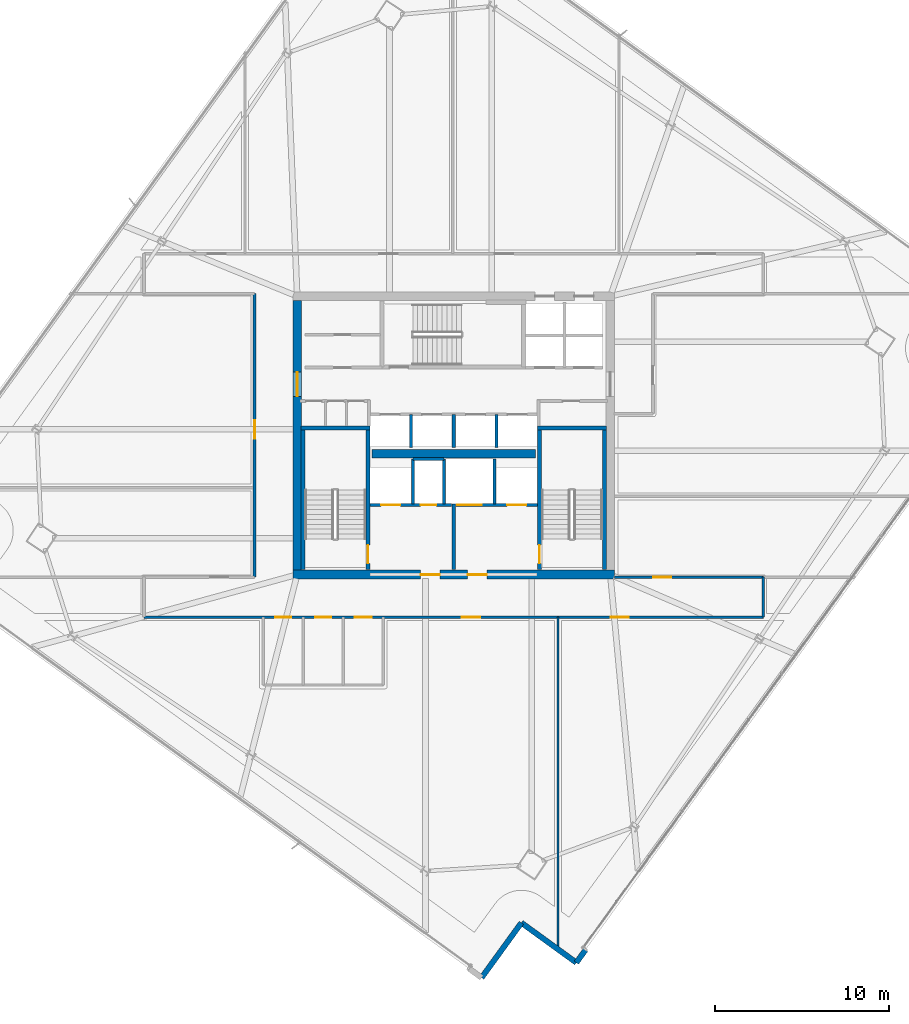
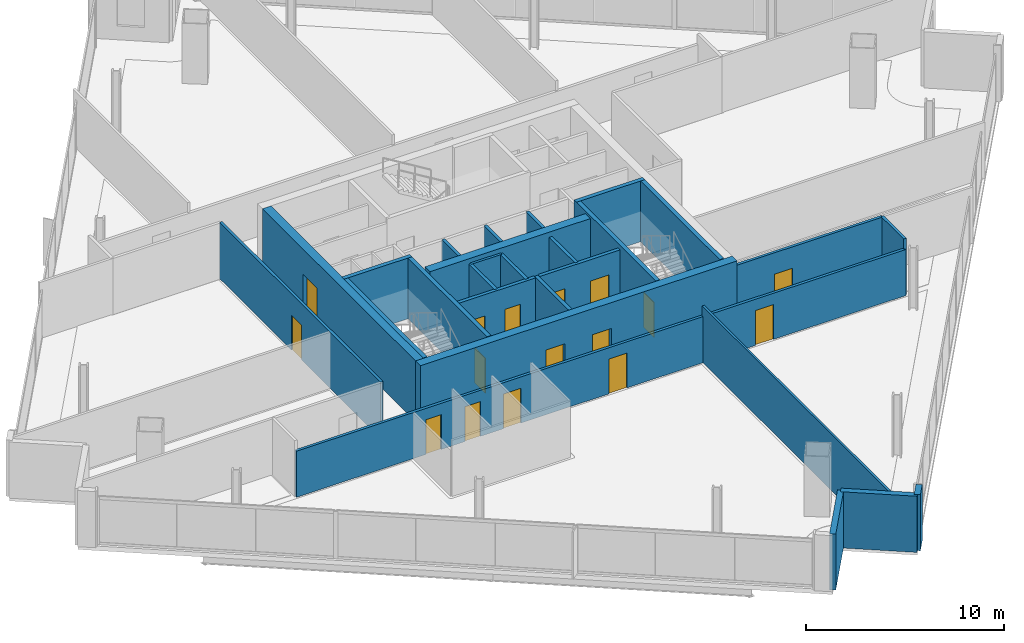
# One storey, part 22 of 29: 27 walls, 16 doors, 16 openings.
"""IFC4 building model written with IfcOpenShell, lengths in metres."""

from ifc_helpers import new_model, si_unit, direction, frame, frame_2d, origin, place, context, subcontext, project, spatial, rectangle, extrude, material, layer, layer_set, type_object, element, fill, save


model = new_model("IFC4")

# Units and contexts
model_context = context("Model", 3, precision=1e-05, world=origin(), true_north=direction((0.0, 1.0)))
body_context = subcontext(model_context, "Body", "Model", "MODEL_VIEW")
ifc_project = project(units=[si_unit("LENGTHUNIT", "METRE"), si_unit("AREAUNIT", "SQUARE_METRE"), si_unit("VOLUMEUNIT", "CUBIC_METRE"), si_unit("PLANEANGLEUNIT", "RADIAN"), si_unit("MASSUNIT", "GRAM", prefix="KILO")], contexts=[model_context])

# Site, building, storey
site_placement = place(None, origin())
site = spatial("IfcSite", under=ifc_project, at=site_placement, CompositionType="ELEMENT")
building_placement = place(site_placement, origin())
building = spatial("IfcBuilding", under=site, at=building_placement, Name="Haldenkirk Collegiate Tower", CompositionType="ELEMENT")
storey_placement = place(building_placement, frame((0.0, 0.0, 209.699951171875)))
storey = spatial("IfcBuildingStorey", under=building, at=storey_placement, Name="L52", CompositionType="ELEMENT", Elevation=209.699951171875)

# Wall, openings, doors
ifc_material_1 = material(Name="Concrete f'c 55 MPa", Category="concrete")
ifc_layer_1 = layer(ifc_material_1, 0.5)
ifc_layer_set_1 = layer_set([ifc_layer_1], Name="Concrete f'c 55 MPa")
wall_type_1 = type_object("IfcWallType", Name="WL-CORE-500", PredefinedType="SHEAR", material=ifc_layer_set_1)
wall_1_placement = place(storey_placement, frame((26.75, 18.0, 0.0), z_axis=(0.0, 0.0, 1.0), x_axis=(1.0, 0.0, 0.0)))
wall_1 = element("IfcWall", 1, at=wall_1_placement, inside=storey, type_object=wall_type_1, Name="L52 central core shear wall S", PredefinedType="SHEAR", context=body_context, shape_type="SweptSolid", body=[
    extrude(rectangle(XDim=18.5, YDim=0.5, at=frame_2d((9.25, 0.0))), origin(), (0.0, 0.0, 1.0), 3.75),
])
opening_1_placement = place(wall_1_placement, frame((7.35009765625, 0.0, 0.0)))
opening_1 = element("IfcOpeningElement", 2, at=opening_1_placement, cuts=wall_1, Name="Opening D-02", PredefinedType="OPENING", context=body_context, shape_type="SweptSolid", body=[
    extrude(rectangle(XDim=1.10009765625, YDim=2.14990234375, at=frame_2d((0.550048828125, 1.074951171875))), frame((0.0, 0.260009765625, 0.0), z_axis=(0.0, -1.0, 0.0), x_axis=(1.0, 0.0, 0.0)), (0.0, 0.0, 1.0), 0.52001953125),
])
opening_2_placement = place(wall_1_placement, frame((10.050048828125, 0.0, 0.0)))
opening_2 = element("IfcOpeningElement", 3, at=opening_2_placement, cuts=wall_1, Name="Opening D-02", PredefinedType="OPENING", context=body_context, shape_type="SweptSolid", body=[
    extrude(rectangle(XDim=1.10009765625, YDim=2.14990234375, at=frame_2d((0.550048828125, 1.074951171875))), frame((0.0, 0.260009765625, 0.0), z_axis=(0.0, -1.0, 0.0), x_axis=(1.0, 0.0, 0.0)), (0.0, 0.0, 1.0), 0.52001953125),
])
ifc_material_2 = material(Name="Galvanized fire-rated hollow steel door", Category="steel")
ifc_layer_2 = layer(ifc_material_2, 0.06005859375)
ifc_layer_set_2 = layer_set([ifc_layer_2], Name="Galvanized fire-rated hollow steel door")
door_type_1 = type_object("IfcDoorType", Name="DR-STAIR-FD90-1100", OperationType="NOTDEFINED", PredefinedType="DOOR", material=ifc_layer_set_2)
door_1_placement = place(opening_1_placement, origin())
door_1 = element("IfcDoor", 4, at=door_1_placement, inside=storey, type_object=door_type_1, Name="L52 Firefighting Lobby 1 door", OperationType="SINGLE_SWING_RIGHT", OverallHeight=2.14990234375, OverallWidth=1.10009765625, PredefinedType="DOOR", context=body_context, shape_type="SweptSolid", body=[
    extrude(rectangle(XDim=1.10009765625, YDim=2.14990234375, at=frame_2d((0.550048828125, 1.074951171875))), frame((0.0, 0.02490234375, 0.0), z_axis=(0.0, -1.0, 0.0), x_axis=(1.0, 0.0, 0.0)), (0.0, 0.0, 1.0), 0.050048828125),
])
fill(opening_1, door_1)
door_2_placement = place(opening_2_placement, origin())
door_2 = element("IfcDoor", 5, at=door_2_placement, inside=storey, type_object=door_type_1, Name="L52 Firefighting Lobby 2 door", OperationType="SINGLE_SWING_LEFT", OverallHeight=2.14990234375, OverallWidth=1.10009765625, PredefinedType="DOOR", context=body_context, shape_type="SweptSolid", body=[
    extrude(rectangle(XDim=1.10009765625, YDim=2.14990234375, at=frame_2d((0.550048828125, 1.074951171875))), frame((0.0, 0.02490234375, 0.0), z_axis=(0.0, -1.0, 0.0), x_axis=(1.0, 0.0, 0.0)), (0.0, 0.0, 1.0), 0.050048828125),
])
fill(opening_2, door_2)

# Wall, opening, door
wall_2_placement = place(storey_placement, frame((27.0, 18.25, 0.0), z_axis=(0.0, 0.0, 1.0), x_axis=(0.0, 1.0, 0.0)))
wall_2 = element("IfcWall", 6, at=wall_2_placement, inside=storey, type_object=wall_type_1, Name="L52 central core shear wall W", PredefinedType="SHEAR", context=body_context, shape_type="SweptSolid", body=[
    extrude(rectangle(XDim=15.5, YDim=0.5, at=frame_2d((7.75, 0.0))), origin(), (0.0, 0.0, 1.0), 3.75),
])
opening_3_placement = place(wall_2_placement, frame((9.989990234375, 0.0, 0.0)))
opening_3 = element("IfcOpeningElement", 7, at=opening_3_placement, cuts=wall_2, Name="Opening D-03", PredefinedType="OPENING", context=body_context, shape_type="SweptSolid", body=[
    extrude(rectangle(XDim=1.39990234375, YDim=2.199951171875, at=frame_2d((0.699951171875, 1.10009765625))), frame((0.0, 0.260009765625, 0.0), z_axis=(0.0, -1.0, 0.0), x_axis=(1.0, 0.0, 0.0)), (0.0, 0.0, 1.0), 0.52001953125),
])
ifc_layer_3 = layer(ifc_material_2, 0.06005859375)
ifc_layer_set_3 = layer_set([ifc_layer_3], Name="Galvanized fire-rated hollow steel door")
door_type_2 = type_object("IfcDoorType", Name="DR-LOBBY-FD90-1400", OperationType="NOTDEFINED", PredefinedType="DOOR", material=ifc_layer_set_3)
door_3_placement = place(opening_3_placement, origin())
door_3 = element("IfcDoor", 8, at=door_3_placement, inside=storey, type_object=door_type_2, Name="L52 west lift lobby portal", OperationType="DOUBLE_DOOR_SINGLE_SWING", OverallHeight=2.199951171875, OverallWidth=1.39990234375, PredefinedType="DOOR", context=body_context, shape_type="SweptSolid", body=[
    extrude(rectangle(XDim=1.39990234375, YDim=2.199951171875, at=frame_2d((0.699951171875, 1.10009765625))), frame((0.0, 0.02490234375, 0.0), z_axis=(0.0, -1.0, 0.0), x_axis=(1.0, 0.0, 0.0)), (0.0, 0.0, 1.0), 0.050048828125),
])
fill(opening_3, door_3)

# Walls
wall_3_placement = place(storey_placement, frame((31.31005859375, 24.949951171875, 0.0), z_axis=(0.0, 0.0, 1.0), x_axis=(1.0, 0.0, 0.0)))
element("IfcWall", 9, at=wall_3_placement, inside=storey, type_object=wall_type_1, Name="L52 central core spine shear wall", PredefinedType="SHEAR", context=body_context, shape_type="SweptSolid", body=[
    extrude(rectangle(XDim=9.3798828125, YDim=0.5, at=frame_2d((4.68994140625, 0.0))), origin(), (0.0, 0.0, 1.0), 3.75),
])
ifc_material_3 = material(Name="Precast concrete f'c 40 MPa", Category="concrete")
ifc_layer_4 = layer(ifc_material_3, 0.320068359375)
ifc_layer_set_4 = layer_set([ifc_layer_4], Name="Precast concrete f'c 40 MPa")
wall_type_2 = type_object("IfcWallType", Name="WL-EXT-TWR-320", PredefinedType="STANDARD", material=ifc_layer_set_4)
wall_4_placement = place(storey_placement, frame((43.575927734375, -3.582275390625, 0.0), z_axis=(0.0, 0.0, 1.0), x_axis=(-0.587074260177, -0.80953308335, 0.0)))
element("IfcWall", 10, at=wall_4_placement, inside=storey, type_object=wall_type_2, Name="L52 precast corner pier SR", PredefinedType="STANDARD", context=body_context, shape_type="SweptSolid", body=[
    extrude(rectangle(XDim=0.89990234375, YDim=0.320068359375, at=frame_2d((0.449951171875, 0.0))), origin(), (0.0, 0.0, 1.0), 3.469970703125),
])
for number, where, z_axis, x_axis, name in (
    (11, (39.890380859375, -2.021240234375, 0.0), (0.0, 0.0, 1.0), (-0.587091693571, -0.809520440347, 0.0), "L52 bronze precast notch wall 11"),
    (12, (43.047607421875, -4.310791015625, 0.0), (0.0, 0.0, 1.0), (-0.809542016527, 0.587061941772, 0.0), "L52 bronze precast notch wall 12"),
):
    element("IfcWall", number, at=place(storey_placement, frame(where, z_axis=z_axis, x_axis=x_axis)), inside=storey, type_object=wall_type_2, Name=name, PredefinedType="STANDARD", context=body_context, shape_type="SweptSolid", body=[
        extrude(rectangle(XDim=3.89990234375, YDim=0.320068359375, at=frame_2d((1.949951171875, 0.0))), origin(), (0.0, 0.0, 1.0), 3.469970703125),
    ])

# Wall, openings, doors
ifc_material_4 = material(Name="Acoustic fire-rated gypsum partition", Category="concrete")
ifc_layer_5 = layer(ifc_material_4, 0.159912109375)
ifc_layer_set_5 = layer_set([ifc_layer_5], Name="Acoustic fire-rated gypsum partition")
wall_type_3 = type_object("IfcWallType", Name="WL-INT-CORR-160", PredefinedType="PARTITIONING", material=ifc_layer_set_5)
wall_5_placement = place(storey_placement, frame((18.199951171875, 15.550048828125, 0.0), z_axis=(0.0, 0.0, 1.0), x_axis=(1.0, 0.0, 0.0)))
wall_5 = element("IfcWall", 13, at=wall_5_placement, inside=storey, type_object=wall_type_3, Name="L52 interior partition IW-L52-CS", PredefinedType="PARTITIONING", context=body_context, shape_type="SweptSolid", body=[
    extrude(rectangle(XDim=35.60009765625, YDim=0.159912109375, at=frame_2d((17.800048828125, 0.0))), origin(), (0.0, 0.0, 1.0), 2.84912109375),
])
opening_4_placement = place(wall_5_placement, frame((7.550048828125, 0.0, 0.0)))
opening_4 = element("IfcOpeningElement", 14, at=opening_4_placement, cuts=wall_5, Name="Opening D-13", PredefinedType="OPENING", context=body_context, shape_type="SweptSolid", body=[
    extrude(rectangle(XDim=0.89990234375, YDim=2.14990234375, at=frame_2d((0.449951171875, 1.074951171875))), frame((0.0, 0.08984375, 0.0), z_axis=(0.0, -1.0, 0.0), x_axis=(1.0, 0.0, 0.0)), (0.0, 0.0, 1.0), 0.179931640625),
])
opening_5_placement = place(wall_5_placement, frame((9.85009765625, 0.0, 0.0)))
opening_5 = element("IfcOpeningElement", 15, at=opening_5_placement, cuts=wall_5, Name="Opening D-13", PredefinedType="OPENING", context=body_context, shape_type="SweptSolid", body=[
    extrude(rectangle(XDim=0.89990234375, YDim=2.14990234375, at=frame_2d((0.449951171875, 1.074951171875))), frame((0.0, 0.08984375, 0.0), z_axis=(0.0, -1.0, 0.0), x_axis=(1.0, 0.0, 0.0)), (0.0, 0.0, 1.0), 0.179931640625),
])
opening_6_placement = place(wall_5_placement, frame((12.10009765625, 0.0, 0.0)))
opening_6 = element("IfcOpeningElement", 16, at=opening_6_placement, cuts=wall_5, Name="Opening D-14", PredefinedType="OPENING", context=body_context, shape_type="SweptSolid", body=[
    extrude(rectangle(XDim=1.0, YDim=2.14990234375, at=frame_2d((0.5, 1.074951171875))), frame((0.0, 0.08984375, 0.0), z_axis=(0.0, -1.0, 0.0), x_axis=(1.0, 0.0, 0.0)), (0.0, 0.0, 1.0), 0.179931640625),
])
opening_7_placement = place(wall_5_placement, frame((18.260009765625, 0.0, 0.0)))
opening_7 = element("IfcOpeningElement", 17, at=opening_7_placement, cuts=wall_5, Name="Opening D-09", PredefinedType="OPENING", context=body_context, shape_type="SweptSolid", body=[
    extrude(rectangle(XDim=1.050048828125, YDim=2.14990234375, at=frame_2d((0.52490234375, 1.074951171875))), frame((0.0, 0.08984375, 0.0), z_axis=(0.0, -1.0, 0.0), x_axis=(1.0, 0.0, 0.0)), (0.0, 0.0, 1.0), 0.179931640625),
])
opening_8_placement = place(wall_5_placement, frame((26.824951171875, 0.0, 0.0)))
opening_8 = element("IfcOpeningElement", 18, at=opening_8_placement, cuts=wall_5, Name="Opening D-09", PredefinedType="OPENING", context=body_context, shape_type="SweptSolid", body=[
    extrude(rectangle(XDim=1.050048828125, YDim=2.14990234375, at=frame_2d((0.52490234375, 1.074951171875))), frame((0.0, 0.08984375, 0.0), z_axis=(0.0, -1.0, 0.0), x_axis=(1.0, 0.0, 0.0)), (0.0, 0.0, 1.0), 0.179931640625),
])
ifc_material_5 = material(Name="Solid-core architectural oak fire door", Category="wood")
ifc_layer_6 = layer(ifc_material_5, 0.06005859375)
ifc_layer_set_6 = layer_set([ifc_layer_6], Name="Solid-core architectural oak fire door")
door_type_3 = type_object("IfcDoorType", Name="DR-INT-ACC-1000", OperationType="NOTDEFINED", PredefinedType="DOOR", material=ifc_layer_set_6)
door_4_placement = place(opening_6_placement, origin())
door_4 = element("IfcDoor", 19, at=door_4_placement, inside=storey, type_object=door_type_3, Name="L52 Accessible WC door", OperationType="SINGLE_SWING_LEFT", OverallHeight=2.14990234375, OverallWidth=1.0, PredefinedType="DOOR", context=body_context, shape_type="SweptSolid", body=[
    extrude(rectangle(XDim=1.0, YDim=2.14990234375, at=frame_2d((0.5, 1.074951171875))), frame((0.0, 0.02490234375, 0.0), z_axis=(0.0, -1.0, 0.0), x_axis=(1.0, 0.0, 0.0)), (0.0, 0.0, 1.0), 0.050048828125),
])
fill(opening_6, door_4)
ifc_layer_7 = layer(ifc_material_5, 0.06005859375)
ifc_layer_set_7 = layer_set([ifc_layer_7], Name="Solid-core architectural oak fire door")
door_type_4 = type_object("IfcDoorType", Name="DR-INT-FD60-1050", OperationType="NOTDEFINED", PredefinedType="DOOR", material=ifc_layer_set_7)
door_5_placement = place(opening_7_placement, origin())
door_5 = element("IfcDoor", 20, at=door_5_placement, inside=storey, type_object=door_type_4, Name="L52 Special Collections Archive 1 door", OperationType="SINGLE_SWING_RIGHT", OverallHeight=2.14990234375, OverallWidth=1.050048828125, PredefinedType="DOOR", context=body_context, shape_type="SweptSolid", body=[
    extrude(rectangle(XDim=1.050048828125, YDim=2.14990234375, at=frame_2d((0.52490234375, 1.074951171875))), frame((0.0, 0.02490234375, 0.0), z_axis=(0.0, -1.0, 0.0), x_axis=(1.0, 0.0, 0.0)), (0.0, 0.0, 1.0), 0.050048828125),
])
fill(opening_7, door_5)
door_6_placement = place(opening_8_placement, origin())
door_6 = element("IfcDoor", 21, at=door_6_placement, inside=storey, type_object=door_type_4, Name="L52 Rare Folio Vault 2 door", OperationType="SINGLE_SWING_LEFT", OverallHeight=2.14990234375, OverallWidth=1.050048828125, PredefinedType="DOOR", context=body_context, shape_type="SweptSolid", body=[
    extrude(rectangle(XDim=1.050048828125, YDim=2.14990234375, at=frame_2d((0.52490234375, 1.074951171875))), frame((0.0, 0.02490234375, 0.0), z_axis=(0.0, -1.0, 0.0), x_axis=(1.0, 0.0, 0.0)), (0.0, 0.0, 1.0), 0.050048828125),
])
fill(opening_8, door_6)
ifc_layer_8 = layer(ifc_material_5, 0.06005859375)
ifc_layer_set_8 = layer_set([ifc_layer_8], Name="Solid-core architectural oak fire door")
door_type_5 = type_object("IfcDoorType", Name="DR-INT-STD-900", OperationType="NOTDEFINED", PredefinedType="DOOR", material=ifc_layer_set_8)
door_7_placement = place(opening_4_placement, origin())
door_7 = element("IfcDoor", 22, at=door_7_placement, inside=storey, type_object=door_type_5, Name="L52 Male WC door", OperationType="SINGLE_SWING_LEFT", OverallHeight=2.14990234375, OverallWidth=0.89990234375, PredefinedType="DOOR", context=body_context, shape_type="SweptSolid", body=[
    extrude(rectangle(XDim=0.89990234375, YDim=2.14990234375, at=frame_2d((0.449951171875, 1.074951171875))), frame((0.0, 0.02490234375, 0.0), z_axis=(0.0, -1.0, 0.0), x_axis=(1.0, 0.0, 0.0)), (0.0, 0.0, 1.0), 0.050048828125),
])
fill(opening_4, door_7)
door_8_placement = place(opening_5_placement, origin())
door_8 = element("IfcDoor", 23, at=door_8_placement, inside=storey, type_object=door_type_5, Name="L52 Female WC door", OperationType="SINGLE_SWING_RIGHT", OverallHeight=2.14990234375, OverallWidth=0.89990234375, PredefinedType="DOOR", context=body_context, shape_type="SweptSolid", body=[
    extrude(rectangle(XDim=0.89990234375, YDim=2.14990234375, at=frame_2d((0.449951171875, 1.074951171875))), frame((0.0, 0.02490234375, 0.0), z_axis=(0.0, -1.0, 0.0), x_axis=(1.0, 0.0, 0.0)), (0.0, 0.0, 1.0), 0.050048828125),
])
fill(opening_5, door_8)

# Wall, opening, door
wall_6_placement = place(storey_placement, frame((45.25, 17.85009765625, 0.0), z_axis=(0.0, 0.0, 1.0), x_axis=(1.0, 0.0, 0.0)))
wall_6 = element("IfcWall", 24, at=wall_6_placement, inside=storey, type_object=wall_type_3, Name="L52 interior partition IW-L52-CSE", PredefinedType="PARTITIONING", context=body_context, shape_type="SweptSolid", body=[
    extrude(rectangle(XDim=8.550048828125, YDim=0.159912109375, at=frame_2d((4.27490234375, 0.0))), origin(), (0.0, 0.0, 1.0), 3.469970703125),
])
opening_9_placement = place(wall_6_placement, frame((2.2109375, 0.0, 0.0)))
opening_9 = element("IfcOpeningElement", 25, at=opening_9_placement, cuts=wall_6, Name="Opening D-09", PredefinedType="OPENING", context=body_context, shape_type="SweptSolid", body=[
    extrude(rectangle(XDim=1.050048828125, YDim=2.14990234375, at=frame_2d((0.52490234375, 1.074951171875))), frame((0.0, 0.08984375, 0.0), z_axis=(0.0, -1.0, 0.0), x_axis=(1.0, 0.0, 0.0)), (0.0, 0.0, 1.0), 0.179931640625),
])
door_9_placement = place(opening_9_placement, origin())
door_9 = element("IfcDoor", 26, at=door_9_placement, inside=storey, type_object=door_type_4, Name="L52 Treaty Archive Store 9 door", OperationType="SINGLE_SWING_RIGHT", OverallHeight=2.14990234375, OverallWidth=1.050048828125, PredefinedType="DOOR", context=body_context, shape_type="SweptSolid", body=[
    extrude(rectangle(XDim=1.050048828125, YDim=2.14990234375, at=frame_2d((0.52490234375, 1.074951171875))), frame((0.0, 0.02490234375, 0.0), z_axis=(0.0, -1.0, 0.0), x_axis=(1.0, 0.0, 0.0)), (0.0, 0.0, 1.0), 0.050048828125),
])
fill(opening_9, door_9)

wall_7_placement = place(storey_placement, frame((24.550048828125, 17.85009765625, 0.0), z_axis=(0.0, 0.0, 1.0), x_axis=(0.0, 1.0, 0.0)))
wall_7 = element("IfcWall", 27, at=wall_7_placement, inside=storey, type_object=wall_type_3, Name="L52 interior partition IW-L52-CW", PredefinedType="PARTITIONING", context=body_context, shape_type="SweptSolid", body=[
    extrude(rectangle(XDim=16.2998046875, YDim=0.159912109375, at=frame_2d((8.14990234375, 0.0))), origin(), (0.0, 0.0, 1.0), 3.469970703125),
])
opening_10_placement = place(wall_7_placement, frame((7.967041015625, 0.0, 0.0)))
opening_10 = element("IfcOpeningElement", 28, at=opening_10_placement, cuts=wall_7, Name="Opening D-09", PredefinedType="OPENING", context=body_context, shape_type="SweptSolid", body=[
    extrude(rectangle(XDim=1.050048828125, YDim=2.14990234375, at=frame_2d((0.52490234375, 1.074951171875))), frame((0.0, 0.08984375, 0.0), z_axis=(0.0, -1.0, 0.0), x_axis=(1.0, 0.0, 0.0)), (0.0, 0.0, 1.0), 0.179931640625),
])
door_10_placement = place(opening_10_placement, origin())
door_10 = element("IfcDoor", 29, at=door_10_placement, inside=storey, type_object=door_type_4, Name="L52 Rare Folio Vault 8 door", OperationType="SINGLE_SWING_LEFT", OverallHeight=2.14990234375, OverallWidth=1.050048828125, PredefinedType="DOOR", context=body_context, shape_type="SweptSolid", body=[
    extrude(rectangle(XDim=1.050048828125, YDim=2.14990234375, at=frame_2d((0.52490234375, 1.074951171875))), frame((0.0, 0.02490234375, 0.0), z_axis=(0.0, -1.0, 0.0), x_axis=(1.0, 0.0, 0.0)), (0.0, 0.0, 1.0), 0.050048828125),
])
fill(opening_10, door_10)

# Walls
wall_8_placement = place(storey_placement, frame((53.800048828125, 15.550048828125, 0.0), z_axis=(0.0, 0.0, 1.0), x_axis=(0.0, 1.0, 0.0)))
element("IfcWall", 30, at=wall_8_placement, inside=storey, type_object=wall_type_3, Name="L52 interior partition IW-L52-CSR", PredefinedType="PARTITIONING", context=body_context, shape_type="SweptSolid", body=[
    extrude(rectangle(XDim=2.300048828125, YDim=0.159912109375, at=frame_2d((1.14990234375, 0.0))), origin(), (0.0, 0.0, 1.0), 3.469970703125),
])
ifc_material_6 = material(Name="Fire-rated gypsum shaftboard assembly", Category="concrete")
ifc_layer_9 = layer(ifc_material_6, 0.179931640625)
ifc_layer_set_9 = layer_set([ifc_layer_9], Name="Fire-rated gypsum shaftboard assembly")
wall_type_4 = type_object("IfcWallType", Name="WL-INT-SHAFT-180", PredefinedType="PARTITIONING", material=ifc_layer_set_9)
for number, where, z_axis, x_axis, name in (
    (31, (33.64990234375, 22.050048828125, 0.0), (0.0, 0.0, 1.0), (0.0, 1.0, 0.0), "L52 interior partition IW-L52-FL1E"),
    (32, (35.449951171875, 22.050048828125, 0.0), (0.0, 0.0, 1.0), (0.0, 1.0, 0.0), "L52 interior partition IW-L52-GL1W"),
):
    element("IfcWall", number, at=place(storey_placement, frame(where, z_axis=z_axis, x_axis=x_axis)), inside=storey, type_object=wall_type_4, Name=name, PredefinedType="PARTITIONING", context=body_context, shape_type="SweptSolid", body=[
        extrude(rectangle(XDim=2.599853515625, YDim=0.179931640625, at=frame_2d((1.2998046875, 0.0))), origin(), (0.0, 0.0, 1.0), 3.469970703125),
    ])
wall_9_placement = place(storey_placement, frame((33.64990234375, 24.64990234375, 0.0), z_axis=(0.0, 0.0, 1.0), x_axis=(1.0, 0.0, 0.0)))
element("IfcWall", 33, at=wall_9_placement, inside=storey, type_object=wall_type_4, Name="L52 interior partition IW-L52-RSRN", PredefinedType="PARTITIONING", context=body_context, shape_type="SweptSolid", body=[
    extrude(rectangle(XDim=1.800048828125, YDim=0.179931640625, at=frame_2d((0.89990234375, 0.0))), origin(), (0.0, 0.0, 1.0), 3.469970703125),
])
wall_10_placement = place(storey_placement, frame((38.35009765625, 22.050048828125, 0.0), z_axis=(0.0, 0.0, 1.0), x_axis=(0.0, 1.0, 0.0)))
element("IfcWall", 34, at=wall_10_placement, inside=storey, type_object=wall_type_4, Name="L52 interior partition IW-L52-GL1E", PredefinedType="PARTITIONING", context=body_context, shape_type="SweptSolid", body=[
    extrude(rectangle(XDim=2.599853515625, YDim=0.179931640625, at=frame_2d((1.2998046875, 0.0))), origin(), (0.0, 0.0, 1.0), 3.469970703125),
])
for number, where, z_axis, x_axis, name in (
    (35, (33.5400390625, 25.300048828125, 0.0), (0.0, 0.0, 1.0), (0.0, 1.0, 0.0), "L52 interior partition IW-L52-PHV1"),
    (36, (36.0, 25.300048828125, 0.0), (0.0, 0.0, 1.0), (0.0, 1.0, 0.0), "L52 interior partition IW-L52-PHV2"),
    (37, (38.4599609375, 25.300048828125, 0.0), (0.0, 0.0, 1.0), (0.0, 1.0, 0.0), "L52 interior partition IW-L52-PHV3"),
):
    element("IfcWall", number, at=place(storey_placement, frame(where, z_axis=z_axis, x_axis=x_axis)), inside=storey, type_object=wall_type_4, Name=name, PredefinedType="PARTITIONING", context=body_context, shape_type="SweptSolid", body=[
        extrude(rectangle(XDim=1.89990234375, YDim=0.179931640625, at=frame_2d((0.949951171875, 0.0))), origin(), (0.0, 0.0, 1.0), 3.469970703125),
    ])
ifc_layer_10 = layer(ifc_material_6, 0.199951171875)
ifc_layer_set_10 = layer_set([ifc_layer_10], Name="Fire-rated gypsum shaftboard assembly")
wall_type_5 = type_object("IfcWallType", Name="WL-INT-SHAFT-200", PredefinedType="PARTITIONING", material=ifc_layer_set_10)
wall_11_placement = place(storey_placement, frame((36.0, 18.280029296875, 0.0), z_axis=(0.0, 0.0, 1.0), x_axis=(0.0, 1.0, 0.0)))
element("IfcWall", 38, at=wall_11_placement, inside=storey, type_object=wall_type_5, Name="L52 interior partition IW-L52-FFLM", PredefinedType="PARTITIONING", context=body_context, shape_type="SweptSolid", body=[
    extrude(rectangle(XDim=3.77001953125, YDim=0.199951171875, at=frame_2d((1.885009765625, 0.0))), origin(), (0.0, 0.0, 1.0), 3.469970703125),
])

# Wall, openings, doors
wall_12_placement = place(storey_placement, frame((31.18994140625, 22.0, 0.0), z_axis=(0.0, 0.0, 1.0), x_axis=(1.0, 0.0, 0.0)))
wall_12 = element("IfcWall", 39, at=wall_12_placement, inside=storey, type_object=wall_type_5, Name="L52 interior partition IW-L52-FFL1N", PredefinedType="PARTITIONING", context=body_context, shape_type="SweptSolid", body=[
    extrude(rectangle(XDim=4.68994140625, YDim=0.199951171875, at=frame_2d((2.344970703125, 0.0))), origin(), (0.0, 0.0, 1.0), 3.469970703125),
])
opening_11_placement = place(wall_12_placement, frame((2.909912109375, 0.0, 0.0)))
opening_11 = element("IfcOpeningElement", 40, at=opening_11_placement, cuts=wall_12, Name="Opening D-06", PredefinedType="OPENING", context=body_context, shape_type="SweptSolid", body=[
    extrude(rectangle(XDim=0.89990234375, YDim=2.14990234375, at=frame_2d((0.449951171875, 1.074951171875))), frame((0.0, 0.10986328125, 0.0), z_axis=(0.0, -1.0, 0.0), x_axis=(1.0, 0.0, 0.0)), (0.0, 0.0, 1.0), 0.219970703125),
])
opening_12_placement = place(wall_12_placement, frame((0.635009765625, 0.0, 0.0)))
opening_12 = element("IfcOpeningElement", 41, at=opening_12_placement, cuts=wall_12, Name="Opening LD-12", PredefinedType="OPENING", context=body_context, shape_type="SweptSolid", body=[
    extrude(rectangle(XDim=1.10009765625, YDim=2.14990234375, at=frame_2d((0.550048828125, 1.074951171875))), frame((0.0, 0.10986328125, 0.0), z_axis=(0.0, -1.0, 0.0), x_axis=(1.0, 0.0, 0.0)), (0.0, 0.0, 1.0), 0.219970703125),
])
ifc_layer_11 = layer(ifc_material_2, 0.06005859375)
ifc_layer_set_11 = layer_set([ifc_layer_11], Name="Galvanized fire-rated hollow steel door")
door_type_6 = type_object("IfcDoorType", Name="DR-INT-FD90-900", OperationType="NOTDEFINED", PredefinedType="DOOR", material=ifc_layer_set_11)
door_11_placement = place(opening_11_placement, origin())
door_11 = element("IfcDoor", 42, at=door_11_placement, inside=storey, type_object=door_type_6, Name="L52 electrical riser door", OperationType="SINGLE_SWING_RIGHT", OverallHeight=2.14990234375, OverallWidth=0.89990234375, PredefinedType="DOOR", context=body_context, shape_type="SweptSolid", body=[
    extrude(rectangle(XDim=0.89990234375, YDim=2.14990234375, at=frame_2d((0.449951171875, 1.074951171875))), frame((0.0, 0.02490234375, 0.0), z_axis=(0.0, -1.0, 0.0), x_axis=(1.0, 0.0, 0.0)), (0.0, 0.0, 1.0), 0.050048828125),
])
fill(opening_11, door_11)
ifc_material_7 = material(Name="Brushed architectural stainless steel", Category="steel")
ifc_layer_12 = layer(ifc_material_7, 0.06005859375)
ifc_layer_set_12 = layer_set([ifc_layer_12], Name="Brushed architectural stainless steel")
door_type_7 = type_object("IfcDoorType", Name="LD-FIRE-1100", OperationType="NOTDEFINED", PredefinedType="DOOR", material=ifc_layer_set_12)
door_12_placement = place(opening_12_placement, origin())
door_12 = element("IfcDoor", 43, at=door_12_placement, inside=storey, type_object=door_type_7, Name="L52 Elevator FL1 sliding landing door", OperationType="SLIDING_TO_LEFT", OverallHeight=2.14990234375, OverallWidth=1.10009765625, PredefinedType="DOOR", context=body_context, shape_type="SweptSolid", body=[
    extrude(rectangle(XDim=1.10009765625, YDim=2.14990234375, at=frame_2d((0.550048828125, 1.074951171875))), frame((0.0, 0.02490234375, 0.0), z_axis=(0.0, -1.0, 0.0), x_axis=(1.0, 0.0, 0.0)), (0.0, 0.0, 1.0), 0.050048828125),
])
fill(opening_12, door_12)

wall_13_placement = place(storey_placement, frame((36.1201171875, 22.0, 0.0), z_axis=(0.0, 0.0, 1.0), x_axis=(1.0, 0.0, 0.0)))
wall_13 = element("IfcWall", 44, at=wall_13_placement, inside=storey, type_object=wall_type_5, Name="L52 interior partition IW-L52-FFL2N", PredefinedType="PARTITIONING", context=body_context, shape_type="SweptSolid", body=[
    extrude(rectangle(XDim=4.68994140625, YDim=0.199951171875, at=frame_2d((2.344970703125, 0.0))), origin(), (0.0, 0.0, 1.0), 3.469970703125),
])
opening_13_placement = place(wall_13_placement, frame((2.955078125, 0.0, 0.0)))
opening_13 = element("IfcOpeningElement", 45, at=opening_13_placement, cuts=wall_13, Name="Opening LD-12", PredefinedType="OPENING", context=body_context, shape_type="SweptSolid", body=[
    extrude(rectangle(XDim=1.10009765625, YDim=2.14990234375, at=frame_2d((0.550048828125, 1.074951171875))), frame((0.0, 0.10986328125, 0.0), z_axis=(0.0, -1.0, 0.0), x_axis=(1.0, 0.0, 0.0)), (0.0, 0.0, 1.0), 0.219970703125),
])
opening_14_placement = place(wall_13_placement, frame((0.080078125, 0.0, 0.0)))
opening_14 = element("IfcOpeningElement", 46, at=opening_14_placement, cuts=wall_13, Name="Opening LD-13", PredefinedType="OPENING", context=body_context, shape_type="SweptSolid", body=[
    extrude(rectangle(XDim=1.39990234375, YDim=2.199951171875, at=frame_2d((0.699951171875, 1.10009765625))), frame((0.0, 0.10986328125, 0.0), z_axis=(0.0, -1.0, 0.0), x_axis=(1.0, 0.0, 0.0)), (0.0, 0.0, 1.0), 0.219970703125),
])
door_13_placement = place(opening_13_placement, origin())
door_13 = element("IfcDoor", 47, at=door_13_placement, inside=storey, type_object=door_type_7, Name="L52 Elevator FL2 sliding landing door", OperationType="SLIDING_TO_LEFT", OverallHeight=2.14990234375, OverallWidth=1.10009765625, PredefinedType="DOOR", context=body_context, shape_type="SweptSolid", body=[
    extrude(rectangle(XDim=1.10009765625, YDim=2.14990234375, at=frame_2d((0.550048828125, 1.074951171875))), frame((0.0, 0.02490234375, 0.0), z_axis=(0.0, -1.0, 0.0), x_axis=(1.0, 0.0, 0.0)), (0.0, 0.0, 1.0), 0.050048828125),
])
fill(opening_13, door_13)
ifc_layer_13 = layer(ifc_material_7, 0.06005859375)
ifc_layer_set_13 = layer_set([ifc_layer_13], Name="Brushed architectural stainless steel")
door_type_8 = type_object("IfcDoorType", Name="LD-GOODS-1400", OperationType="NOTDEFINED", PredefinedType="DOOR", material=ifc_layer_set_13)
door_14_placement = place(opening_14_placement, origin())
door_14 = element("IfcDoor", 48, at=door_14_placement, inside=storey, type_object=door_type_8, Name="L52 Elevator GL1 sliding landing door", OperationType="SLIDING_TO_LEFT", OverallHeight=2.199951171875, OverallWidth=1.39990234375, PredefinedType="DOOR", context=body_context, shape_type="SweptSolid", body=[
    extrude(rectangle(XDim=1.39990234375, YDim=2.199951171875, at=frame_2d((0.699951171875, 1.10009765625))), frame((0.0, 0.02490234375, 0.0), z_axis=(0.0, -1.0, 0.0), x_axis=(1.0, 0.0, 0.0)), (0.0, 0.0, 1.0), 0.050048828125),
])
fill(opening_14, door_14)

# Wall
ifc_layer_14 = layer(ifc_material_4, 0.1201171875)
ifc_layer_set_14 = layer_set([ifc_layer_14], Name="Acoustic fire-rated gypsum partition")
wall_type_6 = type_object("IfcWallType", Name="WL-INT-WET-120", PredefinedType="PARTITIONING", material=ifc_layer_set_14)
wall_14_placement = place(storey_placement, frame((42.0, -3.501708984375, 0.0), z_axis=(0.0, 0.0, 1.0), x_axis=(0.0, 1.0, 0.0)))
element("IfcWall", 49, at=wall_14_placement, inside=storey, type_object=wall_type_6, Name="L52 interior partition IW-L52-RS1", PredefinedType="PARTITIONING", context=body_context, shape_type="SweptSolid", body=[
    extrude(rectangle(XDim=19.0517578125, YDim=0.1201171875, at=frame_2d((9.52587890625, 0.0))), origin(), (0.0, 0.0, 1.0), 3.469970703125),
])

# Wall, opening, door
ifc_layer_15 = layer(ifc_material_1, 0.239990234375)
ifc_layer_set_15 = layer_set([ifc_layer_15], Name="Concrete f'c 55 MPa")
wall_type_7 = type_object("IfcWallType", Name="WL-SHAFT-240", PredefinedType="SHEAR", material=ifc_layer_set_15)
wall_15_placement = place(storey_placement, frame((31.070068359375, 18.280029296875, 0.0), z_axis=(0.0, 0.0, 1.0), x_axis=(0.0, 1.0, 0.0)))
wall_15 = element("IfcWall", 50, at=wall_15_placement, inside=storey, type_object=wall_type_7, Name="L52 stair shaft shear wall SW-L52-ST1E", PredefinedType="SHEAR", context=body_context, shape_type="SweptSolid", body=[
    extrude(rectangle(XDim=8.260009765625, YDim=0.239990234375, at=frame_2d((4.1298828125, 0.0))), origin(), (0.0, 0.0, 1.0), 3.75),
])
opening_15_placement = place(wall_15_placement, frame((0.364990234375, 0.0, 0.0)))
opening_15 = element("IfcOpeningElement", 51, at=opening_15_placement, cuts=wall_15, Name="Opening D-01", PredefinedType="OPENING", context=body_context, shape_type="SweptSolid", body=[
    extrude(rectangle(XDim=1.050048828125, YDim=2.14990234375, at=frame_2d((0.52490234375, 1.074951171875))), frame((0.0, 0.1298828125, 0.0), z_axis=(0.0, -1.0, 0.0), x_axis=(1.0, 0.0, 0.0)), (0.0, 0.0, 1.0), 0.260009765625),
])
ifc_layer_16 = layer(ifc_material_2, 0.06005859375)
ifc_layer_set_16 = layer_set([ifc_layer_16], Name="Galvanized fire-rated hollow steel door")
door_type_9 = type_object("IfcDoorType", Name="DR-STAIR-FD90-1050", OperationType="NOTDEFINED", PredefinedType="DOOR", material=ifc_layer_set_16)
door_15_placement = place(opening_15_placement, origin())
door_15 = element("IfcDoor", 52, at=door_15_placement, inside=storey, type_object=door_type_9, Name="L52 Stair 1 door", OperationType="SINGLE_SWING_LEFT", OverallHeight=2.14990234375, OverallWidth=1.050048828125, PredefinedType="DOOR", context=body_context, shape_type="SweptSolid", body=[
    extrude(rectangle(XDim=1.050048828125, YDim=2.14990234375, at=frame_2d((0.52490234375, 1.074951171875))), frame((0.0, 0.02490234375, 0.0), z_axis=(0.0, -1.0, 0.0), x_axis=(1.0, 0.0, 0.0)), (0.0, 0.0, 1.0), 0.050048828125),
])
fill(opening_15, door_15)

# Walls
wall_16_placement = place(storey_placement, frame((27.2099609375, 26.419921875, 0.0), z_axis=(0.0, 0.0, 1.0), x_axis=(1.0, 0.0, 0.0)))
element("IfcWall", 53, at=wall_16_placement, inside=storey, type_object=wall_type_7, Name="L52 stair shaft shear wall SW-L52-ST1N", PredefinedType="SHEAR", context=body_context, shape_type="SweptSolid", body=[
    extrude(rectangle(XDim=3.97998046875, YDim=0.239990234375, at=frame_2d((1.989990234375, 0.0))), origin(), (0.0, 0.0, 1.0), 3.75),
])
wall_17_placement = place(storey_placement, frame((27.330078125, 18.280029296875, 0.0), z_axis=(0.0, 0.0, 1.0), x_axis=(0.0, 1.0, 0.0)))
element("IfcWall", 54, at=wall_17_placement, inside=storey, type_object=wall_type_7, Name="L52 stair shaft shear wall SW-L52-ST1W", PredefinedType="SHEAR", context=body_context, shape_type="SweptSolid", body=[
    extrude(rectangle(XDim=8.260009765625, YDim=0.239990234375, at=frame_2d((4.1298828125, 0.0))), origin(), (0.0, 0.0, 1.0), 3.75),
])

# Wall, opening, door
wall_18_placement = place(storey_placement, frame((40.929931640625, 18.280029296875, 0.0), z_axis=(0.0, 0.0, 1.0), x_axis=(0.0, 1.0, 0.0)))
wall_18 = element("IfcWall", 55, at=wall_18_placement, inside=storey, type_object=wall_type_7, Name="L52 stair shaft shear wall SW-L52-ST2W", PredefinedType="SHEAR", context=body_context, shape_type="SweptSolid", body=[
    extrude(rectangle(XDim=8.260009765625, YDim=0.239990234375, at=frame_2d((4.1298828125, 0.0))), origin(), (0.0, 0.0, 1.0), 3.75),
])
opening_16_placement = place(wall_18_placement, frame((0.364990234375, 0.0, 0.0)))
opening_16 = element("IfcOpeningElement", 56, at=opening_16_placement, cuts=wall_18, Name="Opening D-01", PredefinedType="OPENING", context=body_context, shape_type="SweptSolid", body=[
    extrude(rectangle(XDim=1.050048828125, YDim=2.14990234375, at=frame_2d((0.52490234375, 1.074951171875))), frame((0.0, 0.1298828125, 0.0), z_axis=(0.0, -1.0, 0.0), x_axis=(1.0, 0.0, 0.0)), (0.0, 0.0, 1.0), 0.260009765625),
])
door_16_placement = place(opening_16_placement, origin())
door_16 = element("IfcDoor", 57, at=door_16_placement, inside=storey, type_object=door_type_9, Name="L52 Stair 2 door", OperationType="SINGLE_SWING_RIGHT", OverallHeight=2.14990234375, OverallWidth=1.050048828125, PredefinedType="DOOR", context=body_context, shape_type="SweptSolid", body=[
    extrude(rectangle(XDim=1.050048828125, YDim=2.14990234375, at=frame_2d((0.52490234375, 1.074951171875))), frame((0.0, 0.02490234375, 0.0), z_axis=(0.0, -1.0, 0.0), x_axis=(1.0, 0.0, 0.0)), (0.0, 0.0, 1.0), 0.050048828125),
])
fill(opening_16, door_16)

# Walls
wall_19_placement = place(storey_placement, frame((40.81005859375, 26.419921875, 0.0), z_axis=(0.0, 0.0, 1.0), x_axis=(1.0, 0.0, 0.0)))
element("IfcWall", 58, at=wall_19_placement, inside=storey, type_object=wall_type_7, Name="L52 stair shaft shear wall SW-L52-ST2N", PredefinedType="SHEAR", context=body_context, shape_type="SweptSolid", body=[
    extrude(rectangle(XDim=3.97998046875, YDim=0.239990234375, at=frame_2d((1.989990234375, 0.0))), origin(), (0.0, 0.0, 1.0), 3.75),
])
wall_20_placement = place(storey_placement, frame((44.669921875, 18.280029296875, 0.0), z_axis=(0.0, 0.0, 1.0), x_axis=(0.0, 1.0, 0.0)))
element("IfcWall", 59, at=wall_20_placement, inside=storey, type_object=wall_type_7, Name="L52 stair shaft shear wall SW-L52-ST2E", PredefinedType="SHEAR", context=body_context, shape_type="SweptSolid", body=[
    extrude(rectangle(XDim=8.260009765625, YDim=0.239990234375, at=frame_2d((4.1298828125, 0.0))), origin(), (0.0, 0.0, 1.0), 3.75),
])

save(model, "model.ifc")
